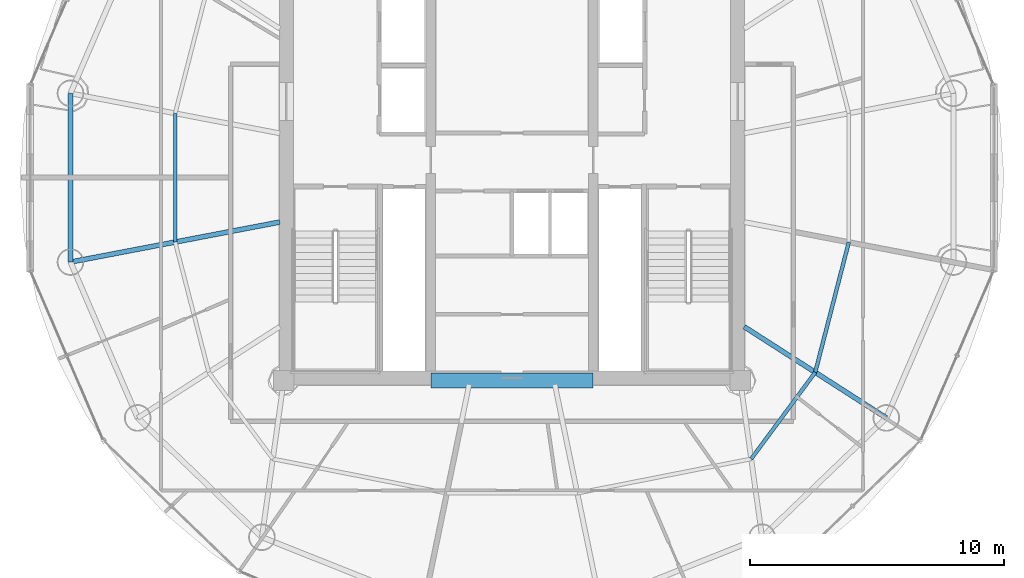
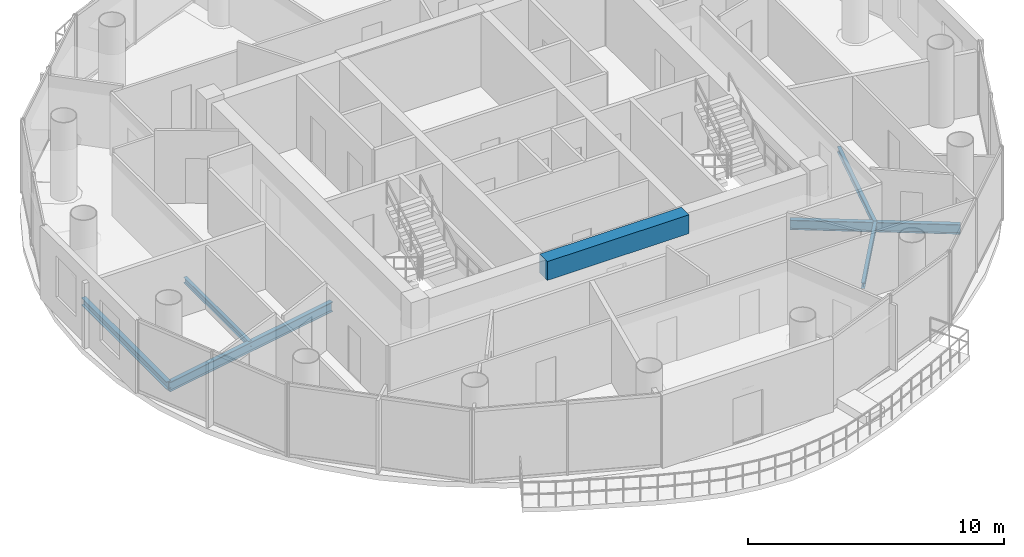
# One storey, part 7 of 23: 7 beams.
"""IFC4 building model written with IfcOpenShell, lengths in metres."""

from ifc_helpers import new_model, si_unit, direction, frame, origin, origin_2d, place, context, subcontext, project, spatial, rectangle, i_section, extrude, material, material_profile, profile_set, type_object, element, save


model = new_model("IFC4")

# Units and contexts
model_context = context("Model", 3, precision=1e-05, world=origin(), true_north=direction((-0.2419218956, 0.970295726276)))
body_context = subcontext(model_context, "Body", "Model", "MODEL_VIEW")
ifc_project = project(units=[si_unit("LENGTHUNIT", "METRE"), si_unit("AREAUNIT", "SQUARE_METRE"), si_unit("VOLUMEUNIT", "CUBIC_METRE"), si_unit("PLANEANGLEUNIT", "RADIAN"), si_unit("MASSUNIT", "GRAM", prefix="KILO")], contexts=[model_context])

# Site, building, storey
site_placement = place(None, origin())
site = spatial("IfcSite", under=ifc_project, at=site_placement, CompositionType="ELEMENT")
building_placement = place(site_placement, origin())
building = spatial("IfcBuilding", under=site, at=building_placement, Name="Cobrevalo Terracotta Tower", CompositionType="ELEMENT")
storey_placement = place(building_placement, frame((0.0, 0.0, 263.199951171875)))
storey = spatial("IfcBuildingStorey", under=building, at=storey_placement, Name="L69", CompositionType="ELEMENT", Elevation=263.199951171875)

# Beams
ifc_material_1 = material(Name="Concrete C60", Category="concrete")
ifc_material_profile_1 = material_profile(ifc_material_1, rectangle(XDim=0.60009765625, YDim=0.89990234375, at=origin_2d()), Name="RC CB 600x900")
ifc_profile_set_1 = profile_set([ifc_material_profile_1], Name="Concrete C60")
beam_type_1 = type_object("IfcBeamType", Name="Structural Beam RC CB 600x900 (Concrete C60)", PredefinedType="BEAM", material=ifc_profile_set_1)
beam_1_placement = place(storey_placement, frame((34.800048828125, 18.800048828125, 3.0400390625), z_axis=(1.0, 0.0, 0.0), x_axis=(0.0, 1.0, 0.0)))
element("IfcBeam", 1, at=beam_1_placement, inside=storey, type_object=beam_type_1, Name="L69 core coupling beam 1", PredefinedType="BEAM", context=body_context, shape_type="SweptSolid", body=[
    extrude(rectangle(XDim=0.60009765625, YDim=0.89990234375, at=origin_2d()), origin(), (0.0, 0.0, 1.0), 6.39990234375),
])
ifc_material_2 = material(Name="Steel S355", Category="steel")
ifc_material_profile_2 = material_profile(ifc_material_2, i_section(OverallWidth=0.19091796875, OverallDepth=0.4599609375, WebThickness=0.010009765625, FlangeThickness=0.01611328125, at=origin_2d()), Name="W 460x82")
ifc_profile_set_2 = profile_set([ifc_material_profile_2], Name="Steel S355")
beam_type_2 = type_object("IfcBeamType", Name="Structural Beam W 460x82 (Steel S355)", PredefinedType="BEAM", material=ifc_profile_set_2)
beam_2_placement = place(storey_placement, frame((20.591064453125, 23.4736328125, -0.489990234375), z_axis=(0.982229562106, 0.187683476432, 0.0), x_axis=(-0.187683476432, 0.982229562106, 0.0)))
element("IfcBeam", 2, at=beam_2_placement, inside=storey, type_object=beam_type_2, Name="L69 radial floor girder 09", PredefinedType="BEAM", context=body_context, shape_type="SweptSolid", body=[
    extrude(i_section(OverallWidth=0.19091796875, OverallDepth=0.4599609375, WebThickness=0.010009765625, FlangeThickness=0.01611328125, at=origin_2d()), origin(), (0.0, 0.0, 1.0), 8.4033203125),
])
beam_3_placement = place(storey_placement, frame((52.758544921875, 17.32763671875, -0.489990234375), z_axis=(-0.84157615512, 0.540138477739, 0.0), x_axis=(-0.540138477739, -0.84157615512, 0.0)))
element("IfcBeam", 3, at=beam_3_placement, inside=storey, type_object=beam_type_2, Name="L69 radial floor girder 15", PredefinedType="BEAM", context=body_context, shape_type="SweptSolid", body=[
    extrude(i_section(OverallWidth=0.19091796875, OverallDepth=0.4599609375, WebThickness=0.010009765625, FlangeThickness=0.01611328125, at=origin_2d()), origin(), (0.0, 0.0, 1.0), 6.658447265625),
])
ifc_material_profile_3 = material_profile(ifc_material_2, i_section(OverallWidth=0.14794921875, OverallDepth=0.26611328125, WebThickness=0.007568359375, FlangeThickness=0.012939453125, at=origin_2d()), Name="W 250x44.8")
ifc_profile_set_3 = profile_set([ifc_material_profile_3], Name="Steel S355")
beam_type_3 = type_object("IfcBeamType", Name="Structural Joist W 250x44.8 (Steel S355)", PredefinedType="JOIST", material=ifc_profile_set_3)
beam_4_placement = place(storey_placement, frame((24.718017578125, 29.337646484375, -0.39306640625), z_axis=(0.0, -1.0, 0.0), x_axis=(1.0, 0.0, 0.0)))
element("IfcBeam", 4, at=beam_4_placement, inside=storey, type_object=beam_type_3, Name="L69 circumferential secondary floor joist 08", PredefinedType="JOIST", context=body_context, shape_type="SweptSolid", body=[
    extrude(i_section(OverallWidth=0.14794921875, OverallDepth=0.26611328125, WebThickness=0.007568359375, FlangeThickness=0.012939453125, at=origin_2d()), origin(), (0.0, 0.0, 1.0), 5.075439453125),
])
beam_5_placement = place(storey_placement, frame((47.4306640625, 15.711669921875, -0.39306640625), z_axis=(0.594799916617, 0.803873783123, 0.0), x_axis=(-0.803873783123, 0.594799916617, 0.0)))
element("IfcBeam", 5, at=beam_5_placement, inside=storey, type_object=beam_type_3, Name="L69 circumferential secondary floor joist 14", PredefinedType="JOIST", context=body_context, shape_type="SweptSolid", body=[
    extrude(i_section(OverallWidth=0.14794921875, OverallDepth=0.26611328125, WebThickness=0.007568359375, FlangeThickness=0.012939453125, at=origin_2d()), origin(), (0.0, 0.0, 1.0), 4.2470703125),
])
beam_6_placement = place(storey_placement, frame((49.956787109375, 19.125732421875, -0.39306640625), z_axis=(0.249816773293, 0.968293126993, 0.0), x_axis=(-0.968293126993, 0.249816773293, 0.0)))
element("IfcBeam", 6, at=beam_6_placement, inside=storey, type_object=beam_type_3, Name="L69 circumferential secondary floor joist 15", PredefinedType="JOIST", context=body_context, shape_type="SweptSolid", body=[
    extrude(i_section(OverallWidth=0.14794921875, OverallDepth=0.26611328125, WebThickness=0.007568359375, FlangeThickness=0.012939453125, at=origin_2d()), origin(), (0.0, 0.0, 1.0), 5.3046875),
])
ifc_material_profile_4 = material_profile(ifc_material_2, i_section(OverallWidth=0.205078125, OverallDepth=0.35400390625, WebThickness=0.009521484375, FlangeThickness=0.016845703125, at=origin_2d()), Name="W 360x79")
ifc_profile_set_4 = profile_set([ifc_material_profile_4], Name="Steel S355")
beam_type_4 = type_object("IfcBeamType", Name="Structural Spandrel W 360x79 (Steel S355)", PredefinedType="SPANDREL", material=ifc_profile_set_4)
beam_7_placement = place(storey_placement, frame((20.591064453125, 30.126220703125, -0.43701171875), z_axis=(0.0, -1.0, 0.0), x_axis=(1.0, 0.0, 0.0)))
element("IfcBeam", 7, at=beam_7_placement, inside=storey, type_object=beam_type_4, Name="L69 perimeter ring spandrel 08", PredefinedType="SPANDREL", context=body_context, shape_type="SweptSolid", body=[
    extrude(i_section(OverallWidth=0.205078125, OverallDepth=0.35400390625, WebThickness=0.009521484375, FlangeThickness=0.016845703125, at=origin_2d()), origin(), (0.0, 0.0, 1.0), 6.652587890625),
])

save(model, "model.ifc")
